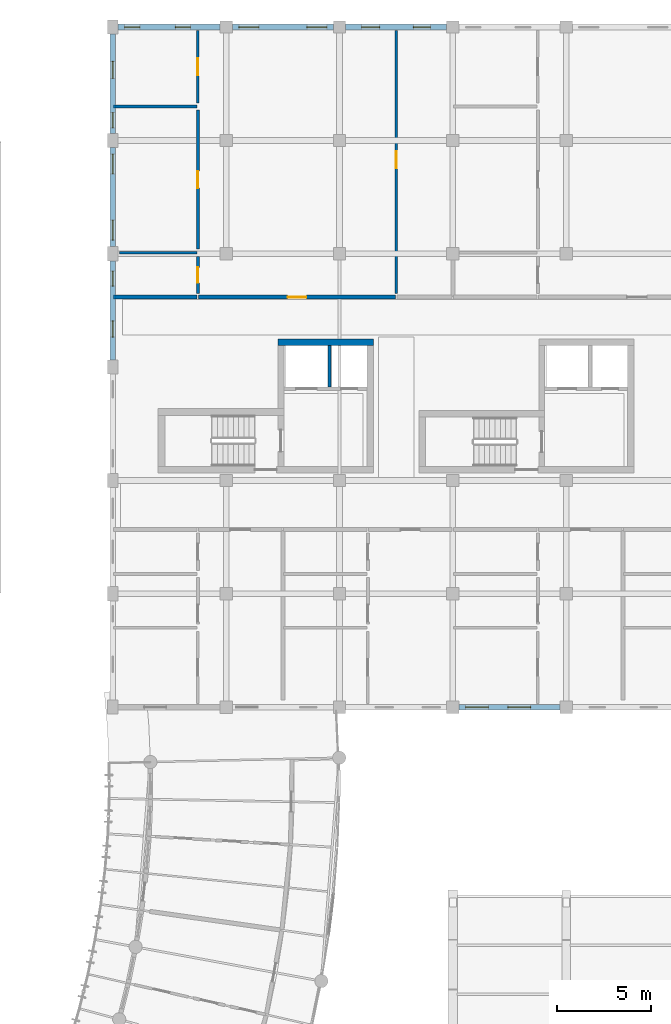
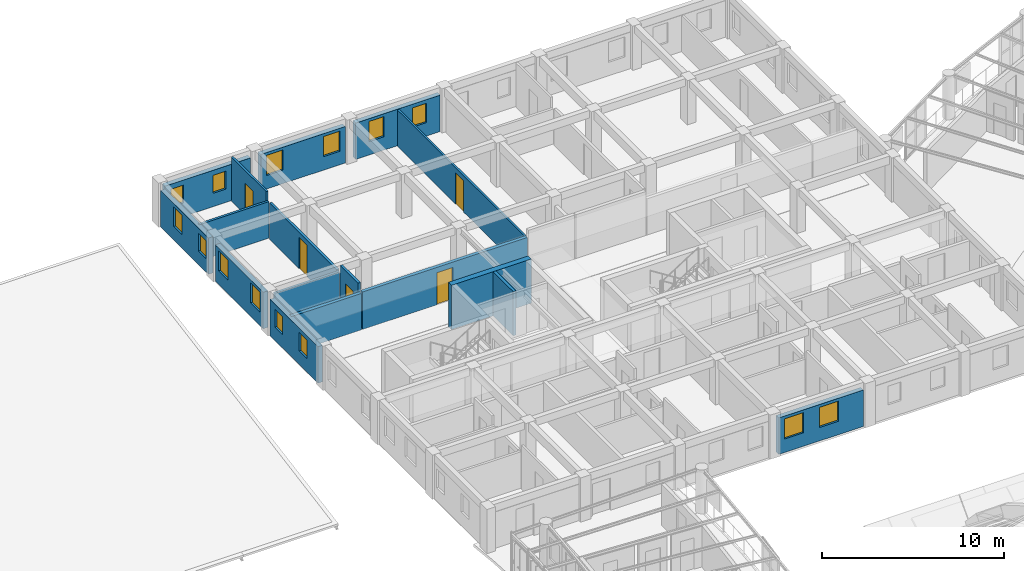
# One storey, part 89 of 123: 17 walls, 14 windows, 5 doors, 19 openings.
"""IFC4 building model written with IfcOpenShell, lengths in metres."""

from ifc_helpers import new_model, si_unit, direction, frame, frame_2d, origin, place, context, subcontext, project, spatial, rectangle, extrude, material, layer, layer_set, type_object, element, fill, save


model = new_model("IFC4")

# Units and contexts
model_context = context("Model", 3, precision=1e-05, world=origin(), true_north=direction((0.0, 1.0)))
body_context = subcontext(model_context, "Body", "Model", "MODEL_VIEW")
ifc_project = project(units=[si_unit("LENGTHUNIT", "METRE"), si_unit("AREAUNIT", "SQUARE_METRE"), si_unit("VOLUMEUNIT", "CUBIC_METRE"), si_unit("PLANEANGLEUNIT", "RADIAN"), si_unit("MASSUNIT", "GRAM", prefix="KILO"), si_unit("POWERUNIT", "WATT"), si_unit("THERMODYNAMICTEMPERATUREUNIT", "KELVIN")], contexts=[model_context])

# Site, building, storey
site_placement = place(None, origin())
site = spatial("IfcSite", under=ifc_project, at=site_placement, CompositionType="ELEMENT")
building_placement = place(site_placement, origin())
building = spatial("IfcBuilding", under=site, at=building_placement, Name="Ruvembo Vaulted Housing Court", CompositionType="ELEMENT")
storey_placement = place(building_placement, frame((0.0, 0.0, 7.699951171875)))
storey = spatial("IfcBuildingStorey", under=building, at=storey_placement, Name="L02", CompositionType="ELEMENT", Elevation=7.699951171875)

# Walls
ifc_material_1 = material(Name="Concrete C35/45", Category="concrete")
ifc_layer_1 = layer(ifc_material_1, 0.35009765625, Name="Concrete C35/45")
ifc_layer_set_1 = layer_set([ifc_layer_1], Name="Concrete C35/45")
wall_type_1 = type_object("IfcWallType", Name="WL-CORE-350", PredefinedType="SHEAR", material=ifc_layer_set_1)
wall_1_placement = place(storey_placement, frame((61.800048828125, 97.324951171875, 0.0), z_axis=(0.0, 0.0, 1.0), x_axis=(-1.0, 0.0, 0.0)))
element("IfcWall", 1, at=wall_1_placement, inside=storey, type_object=wall_type_1, Name="Core B1 L02 North Shear Wall", PredefinedType="SHEAR", context=body_context, shape_type="SweptSolid", body=[
    extrude(rectangle(XDim=5.050048828125, YDim=0.35009765625, at=frame_2d((2.52490234375, 0.0))), origin(), (0.0, 0.0, 1.0), 2.955078125),
])
ifc_material_2 = material(Name="Concrete Blockwork 210", Category="masonry")
ifc_layer_2 = layer(ifc_material_2, 0.2099609375, Name="Concrete Blockwork 210")
ifc_layer_set_2 = layer_set([ifc_layer_2], Name="Concrete Blockwork 210")
wall_type_2 = type_object("IfcWallType", Name="WL-CORR-210", PredefinedType="SOLIDWALL", material=ifc_layer_set_2)
wall_2_placement = place(storey_placement, frame((48.0400390625, 99.699951171875, 0.0), z_axis=(0.0, 0.0, 1.0), x_axis=(1.0, 0.0, 0.0)))
element("IfcWall", 2, at=wall_2_placement, inside=storey, type_object=wall_type_2, Name="L02 Flat B-L02-N1 Corridor Wall WL-INT-L02-00564", PredefinedType="SOLIDWALL", context=body_context, shape_type="SweptSolid", body=[
    extrude(rectangle(XDim=4.419921875, YDim=0.2099609375, at=frame_2d((2.2099609375, 0.0))), origin(), (0.0, 0.0, 1.0), 2.43701171875),
])

# Wall, opening, door
wall_3_placement = place(storey_placement, frame((52.5400390625, 99.699951171875, 0.0), z_axis=(0.0, 0.0, 1.0), x_axis=(1.0, 0.0, 0.0)))
wall_3 = element("IfcWall", 3, at=wall_3_placement, inside=storey, type_object=wall_type_2, Name="L02 Flat B-L02-N1 Entrance WL-INT-L02-00565", PredefinedType="SOLIDWALL", context=body_context, shape_type="SweptSolid", body=[
    extrude(rectangle(XDim=10.419921875, YDim=0.2099609375, at=frame_2d((5.2099609375, 0.0))), origin(), (0.0, 0.0, 1.0), 2.508056640625),
])
opening_1_placement = place(wall_3_placement, frame((4.7099609375, 0.0, 0.0)))
opening_1 = element("IfcOpeningElement", 4, at=opening_1_placement, cuts=wall_3, Name="Opening FD1", PredefinedType="OPENING", context=body_context, shape_type="SweptSolid", body=[
    extrude(rectangle(XDim=1.0, YDim=2.14990234375, at=frame_2d((0.5, 1.074951171875))), frame((0.0, 0.114990234375, 0.0), z_axis=(0.0, -1.0, 0.0), x_axis=(1.0, 0.0, 0.0)), (0.0, 0.0, 1.0), 0.22998046875),
])
ifc_material_3 = material(Name="FSC Hardwood and Engineered Timber", Category="wood")
door_type_1 = type_object("IfcDoorType", Name="DR-FLAT-1000x2150", OperationType="NOTDEFINED", PredefinedType="DOOR", material=ifc_material_3)
door_1_placement = place(opening_1_placement, origin())
door_1 = element("IfcDoor", 5, at=door_1_placement, inside=storey, type_object=door_type_1, Name="L02 Flat B-L02-N1 Entrance Door DR-INT-L02-00306", OperationType="SINGLE_SWING_RIGHT", OverallHeight=2.14990234375, OverallWidth=1.0, PredefinedType="DOOR", context=body_context, shape_type="SweptSolid", body=[
    extrude(rectangle(XDim=1.0, YDim=2.14990234375, at=frame_2d((0.5, 1.074951171875))), frame((0.0, 0.02490234375, 0.0), z_axis=(0.0, -1.0, 0.0), x_axis=(1.0, 0.0, 0.0)), (0.0, 0.0, 1.0), 0.050048828125),
])
fill(opening_1, door_1)

# Wall, openings, windows
ifc_material_4 = material(Name="Rendered Masonry 300", Category="masonry")
ifc_layer_3 = layer(ifc_material_4, 0.300048828125, Name="Rendered Masonry 300")
ifc_layer_set_3 = layer_set([ifc_layer_3], Name="Rendered Masonry 300")
wall_type_3 = type_object("IfcWallType", Name="WL-EXT-300", PredefinedType="STANDARD", material=ifc_layer_set_3)
wall_4_placement = place(storey_placement, frame((66.324951171875, 78.0, 0.0), z_axis=(0.0, 0.0, 1.0), x_axis=(1.0, 0.0, 0.0)))
wall_4 = element("IfcWall", 6, at=wall_4_placement, inside=storey, type_object=wall_type_3, Name="Block B L02 Exterior Wall COURTYARD #4", PredefinedType="STANDARD", context=body_context, shape_type="SweptSolid", body=[
    extrude(rectangle(XDim=5.35009765625, YDim=0.300048828125, at=frame_2d((2.675048828125, 0.0))), origin(), (0.0, 0.0, 1.0), 2.43701171875),
])
opening_2_placement = place(wall_4_placement, frame((0.35009765625, 0.0, 0.89990234375)))
opening_2 = element("IfcOpeningElement", 7, at=opening_2_placement, cuts=wall_4, Name="Opening W12", PredefinedType="OPENING", context=body_context, shape_type="SweptSolid", body=[
    extrude(rectangle(XDim=1.199951171875, YDim=1.35009765625, at=frame_2d((0.60009765625, 0.675048828125))), frame((0.0, 0.159912109375, 0.0), z_axis=(0.0, -1.0, 0.0), x_axis=(1.0, 0.0, 0.0)), (0.0, 0.0, 1.0), 0.320068359375),
])
opening_3_placement = place(wall_4_placement, frame((2.5849609375, 0.0, 0.89990234375)))
opening_3 = element("IfcOpeningElement", 8, at=opening_3_placement, cuts=wall_4, Name="Opening W12", PredefinedType="OPENING", context=body_context, shape_type="SweptSolid", body=[
    extrude(rectangle(XDim=1.199951171875, YDim=1.35009765625, at=frame_2d((0.60009765625, 0.675048828125))), frame((0.0, 0.159912109375, 0.0), z_axis=(0.0, -1.0, 0.0), x_axis=(1.0, 0.0, 0.0)), (0.0, 0.0, 1.0), 0.320068359375),
])
ifc_material_5 = material(Name="Double Solar-Control Glazing in Aluminium Frame", Category="aluminium")
window_type_1 = type_object("IfcWindowType", Name="WIN-1200x1350", PartitioningType="SINGLE_PANEL", PredefinedType="WINDOW", material=ifc_material_5)
window_1_placement = place(opening_2_placement, origin())
window_1 = element("IfcWindow", 9, at=window_1_placement, inside=storey, type_object=window_type_1, Name="Block B L02 Window #689", OverallHeight=1.35009765625, OverallWidth=1.199951171875, PartitioningType="SINGLE_PANEL", PredefinedType="WINDOW", context=body_context, shape_type="SweptSolid", body=[
    extrude(rectangle(XDim=1.199951171875, YDim=1.35009765625, at=frame_2d((0.60009765625, 0.675048828125))), frame((0.0, 0.030029296875, 0.0), z_axis=(0.0, -1.0, 0.0), x_axis=(1.0, 0.0, 0.0)), (0.0, 0.0, 1.0), 0.06005859375),
])
fill(opening_2, window_1)
window_2_placement = place(opening_3_placement, origin())
window_2 = element("IfcWindow", 10, at=window_2_placement, inside=storey, type_object=window_type_1, Name="Block B L02 Window #690", OverallHeight=1.35009765625, OverallWidth=1.199951171875, PartitioningType="SINGLE_PANEL", PredefinedType="WINDOW", context=body_context, shape_type="SweptSolid", body=[
    extrude(rectangle(XDim=1.199951171875, YDim=1.35009765625, at=frame_2d((0.60009765625, 0.675048828125))), frame((0.0, 0.030029296875, 0.0), z_axis=(0.0, -1.0, 0.0), x_axis=(1.0, 0.0, 0.0)), (0.0, 0.0, 1.0), 0.06005859375),
])
fill(opening_3, window_2)

wall_5_placement = place(storey_placement, frame((65.675048828125, 114.0, 0.0), z_axis=(0.0, 0.0, 1.0), x_axis=(-1.0, 0.0, 0.0)))
wall_5 = element("IfcWall", 11, at=wall_5_placement, inside=storey, type_object=wall_type_3, Name="Block B L02 Exterior Wall STREET #4", PredefinedType="STANDARD", context=body_context, shape_type="SweptSolid", body=[
    extrude(rectangle(XDim=5.35009765625, YDim=0.300048828125, at=frame_2d((2.675048828125, 0.0))), origin(), (0.0, 0.0, 1.0), 2.43701171875),
])
opening_4_placement = place(wall_5_placement, frame((0.867431640625, 0.0, 0.89990234375)))
opening_4 = element("IfcOpeningElement", 12, at=opening_4_placement, cuts=wall_5, Name="Opening W04", PredefinedType="OPENING", context=body_context, shape_type="SweptSolid", body=[
    extrude(rectangle(XDim=0.89990234375, YDim=1.300048828125, at=frame_2d((0.449951171875, 0.64990234375))), frame((0.0, 0.159912109375, 0.0), z_axis=(0.0, -1.0, 0.0), x_axis=(1.0, 0.0, 0.0)), (0.0, 0.0, 1.0), 0.320068359375),
])
opening_5_placement = place(wall_5_placement, frame((3.5576171875, 0.0, 0.89990234375)))
opening_5 = element("IfcOpeningElement", 13, at=opening_5_placement, cuts=wall_5, Name="Opening W07", PredefinedType="OPENING", context=body_context, shape_type="SweptSolid", body=[
    extrude(rectangle(XDim=0.949951171875, YDim=1.35009765625, at=frame_2d((0.47509765625, 0.675048828125))), frame((0.0, 0.159912109375, 0.0), z_axis=(0.0, -1.0, 0.0), x_axis=(1.0, 0.0, 0.0)), (0.0, 0.0, 1.0), 0.320068359375),
])
window_type_2 = type_object("IfcWindowType", Name="WIN-0900x1300", PartitioningType="SINGLE_PANEL", PredefinedType="WINDOW", material=ifc_material_5)
window_3_placement = place(opening_4_placement, origin())
window_3 = element("IfcWindow", 14, at=window_3_placement, inside=storey, type_object=window_type_2, Name="Block B L02 Window #710", OverallHeight=1.300048828125, OverallWidth=0.89990234375, PartitioningType="SINGLE_PANEL", PredefinedType="WINDOW", context=body_context, shape_type="SweptSolid", body=[
    extrude(rectangle(XDim=0.89990234375, YDim=1.300048828125, at=frame_2d((0.449951171875, 0.64990234375))), frame((0.0, 0.030029296875, 0.0), z_axis=(0.0, -1.0, 0.0), x_axis=(1.0, 0.0, 0.0)), (0.0, 0.0, 1.0), 0.06005859375),
])
fill(opening_4, window_3)
window_type_3 = type_object("IfcWindowType", Name="WIN-0950x1350", PartitioningType="SINGLE_PANEL", PredefinedType="WINDOW", material=ifc_material_5)
window_4_placement = place(opening_5_placement, origin())
window_4 = element("IfcWindow", 15, at=window_4_placement, inside=storey, type_object=window_type_3, Name="Block B L02 Window #711", OverallHeight=1.35009765625, OverallWidth=0.949951171875, PartitioningType="SINGLE_PANEL", PredefinedType="WINDOW", context=body_context, shape_type="SweptSolid", body=[
    extrude(rectangle(XDim=0.949951171875, YDim=1.35009765625, at=frame_2d((0.47509765625, 0.675048828125))), frame((0.0, 0.030029296875, 0.0), z_axis=(0.0, -1.0, 0.0), x_axis=(1.0, 0.0, 0.0)), (0.0, 0.0, 1.0), 0.06005859375),
])
fill(opening_5, window_4)

wall_6_placement = place(storey_placement, frame((59.675048828125, 114.0, 0.0), z_axis=(0.0, 0.0, 1.0), x_axis=(-1.0, 0.0, 0.0)))
wall_6 = element("IfcWall", 16, at=wall_6_placement, inside=storey, type_object=wall_type_3, Name="Block B L02 Exterior Wall STREET #5", PredefinedType="STANDARD", context=body_context, shape_type="SweptSolid", body=[
    extrude(rectangle(XDim=5.35009765625, YDim=0.300048828125, at=frame_2d((2.675048828125, 0.0))), origin(), (0.0, 0.0, 1.0), 2.43701171875),
])
opening_6_placement = place(wall_6_placement, frame((0.35009765625, 0.0, 0.89990234375)))
opening_6 = element("IfcOpeningElement", 17, at=opening_6_placement, cuts=wall_6, Name="Opening W09", PredefinedType="OPENING", context=body_context, shape_type="SweptSolid", body=[
    extrude(rectangle(XDim=1.050048828125, YDim=1.35009765625, at=frame_2d((0.52490234375, 0.675048828125))), frame((0.0, 0.159912109375, 0.0), z_axis=(0.0, -1.0, 0.0), x_axis=(1.0, 0.0, 0.0)), (0.0, 0.0, 1.0), 0.320068359375),
])
opening_7_placement = place(wall_6_placement, frame((3.949951171875, 0.0, 0.89990234375)))
opening_7 = element("IfcOpeningElement", 18, at=opening_7_placement, cuts=wall_6, Name="Opening W09", PredefinedType="OPENING", context=body_context, shape_type="SweptSolid", body=[
    extrude(rectangle(XDim=1.050048828125, YDim=1.35009765625, at=frame_2d((0.52490234375, 0.675048828125))), frame((0.0, 0.159912109375, 0.0), z_axis=(0.0, -1.0, 0.0), x_axis=(1.0, 0.0, 0.0)), (0.0, 0.0, 1.0), 0.320068359375),
])
window_type_4 = type_object("IfcWindowType", Name="WIN-1050x1350", PartitioningType="SINGLE_PANEL", PredefinedType="WINDOW", material=ifc_material_5)
window_5_placement = place(opening_6_placement, origin())
window_5 = element("IfcWindow", 19, at=window_5_placement, inside=storey, type_object=window_type_4, Name="Block B L02 Window #712", OverallHeight=1.35009765625, OverallWidth=1.050048828125, PartitioningType="SINGLE_PANEL", PredefinedType="WINDOW", context=body_context, shape_type="SweptSolid", body=[
    extrude(rectangle(XDim=1.050048828125, YDim=1.35009765625, at=frame_2d((0.52490234375, 0.675048828125))), frame((0.0, 0.030029296875, 0.0), z_axis=(0.0, -1.0, 0.0), x_axis=(1.0, 0.0, 0.0)), (0.0, 0.0, 1.0), 0.06005859375),
])
fill(opening_6, window_5)
window_6_placement = place(opening_7_placement, origin())
window_6 = element("IfcWindow", 20, at=window_6_placement, inside=storey, type_object=window_type_4, Name="Block B L02 Window #713", OverallHeight=1.35009765625, OverallWidth=1.050048828125, PartitioningType="SINGLE_PANEL", PredefinedType="WINDOW", context=body_context, shape_type="SweptSolid", body=[
    extrude(rectangle(XDim=1.050048828125, YDim=1.35009765625, at=frame_2d((0.52490234375, 0.675048828125))), frame((0.0, 0.030029296875, 0.0), z_axis=(0.0, -1.0, 0.0), x_axis=(1.0, 0.0, 0.0)), (0.0, 0.0, 1.0), 0.06005859375),
])
fill(opening_7, window_6)

wall_7_placement = place(storey_placement, frame((53.675048828125, 114.0, 0.0), z_axis=(0.0, 0.0, 1.0), x_axis=(-1.0, 0.0, 0.0)))
wall_7 = element("IfcWall", 21, at=wall_7_placement, inside=storey, type_object=wall_type_3, Name="Block B L02 Exterior Wall STREET #6", PredefinedType="STANDARD", context=body_context, shape_type="SweptSolid", body=[
    extrude(rectangle(XDim=5.400146484375, YDim=0.300048828125, at=frame_2d((2.7001953125, 0.0))), origin(), (0.0, 0.0, 1.0), 2.43701171875),
])
opening_8_placement = place(wall_7_placement, frame((1.56494140625, 0.0, 0.89990234375)))
opening_8 = element("IfcOpeningElement", 22, at=opening_8_placement, cuts=wall_7, Name="Opening W02", PredefinedType="OPENING", context=body_context, shape_type="SweptSolid", body=[
    extrude(rectangle(XDim=0.800048828125, YDim=1.199951171875, at=frame_2d((0.39990234375, 0.60009765625))), frame((0.0, 0.159912109375, 0.0), z_axis=(0.0, -1.0, 0.0), x_axis=(1.0, 0.0, 0.0)), (0.0, 0.0, 1.0), 0.320068359375),
])
opening_9_placement = place(wall_7_placement, frame((4.25, 0.0, 0.89990234375)))
opening_9 = element("IfcOpeningElement", 23, at=opening_9_placement, cuts=wall_7, Name="Opening W02", PredefinedType="OPENING", context=body_context, shape_type="SweptSolid", body=[
    extrude(rectangle(XDim=0.800048828125, YDim=1.199951171875, at=frame_2d((0.39990234375, 0.60009765625))), frame((0.0, 0.159912109375, 0.0), z_axis=(0.0, -1.0, 0.0), x_axis=(1.0, 0.0, 0.0)), (0.0, 0.0, 1.0), 0.320068359375),
])
window_type_5 = type_object("IfcWindowType", Name="WIN-0800x1200", PartitioningType="SINGLE_PANEL", PredefinedType="WINDOW", material=ifc_material_5)
window_7_placement = place(opening_8_placement, origin())
window_7 = element("IfcWindow", 24, at=window_7_placement, inside=storey, type_object=window_type_5, Name="Block B L02 Window #714", OverallHeight=1.199951171875, OverallWidth=0.800048828125, PartitioningType="SINGLE_PANEL", PredefinedType="WINDOW", context=body_context, shape_type="SweptSolid", body=[
    extrude(rectangle(XDim=0.800048828125, YDim=1.199951171875, at=frame_2d((0.39990234375, 0.60009765625))), frame((0.0, 0.030029296875, 0.0), z_axis=(0.0, -1.0, 0.0), x_axis=(1.0, 0.0, 0.0)), (0.0, 0.0, 1.0), 0.06005859375),
])
fill(opening_8, window_7)
window_8_placement = place(opening_9_placement, origin())
window_8 = element("IfcWindow", 25, at=window_8_placement, inside=storey, type_object=window_type_5, Name="Block B L02 Window #715", OverallHeight=1.199951171875, OverallWidth=0.800048828125, PartitioningType="SINGLE_PANEL", PredefinedType="WINDOW", context=body_context, shape_type="SweptSolid", body=[
    extrude(rectangle(XDim=0.800048828125, YDim=1.199951171875, at=frame_2d((0.39990234375, 0.60009765625))), frame((0.0, 0.030029296875, 0.0), z_axis=(0.0, -1.0, 0.0), x_axis=(1.0, 0.0, 0.0)), (0.0, 0.0, 1.0), 0.06005859375),
])
fill(opening_9, window_8)

wall_8_placement = place(storey_placement, frame((48.0, 113.625, 0.0), z_axis=(0.0, 0.0, 1.0), x_axis=(0.0, -1.0, 0.0)))
wall_8 = element("IfcWall", 26, at=wall_8_placement, inside=storey, type_object=wall_type_3, Name="Block B L02 Exterior Wall WEST #1", PredefinedType="STANDARD", context=body_context, shape_type="SweptSolid", body=[
    extrude(rectangle(XDim=5.25, YDim=0.300048828125, at=frame_2d((2.625, 0.0))), origin(), (0.0, 0.0, 1.0), 2.43701171875),
])
opening_10_placement = place(wall_8_placement, frame((1.4423828125, 0.0, 0.89990234375)))
opening_10 = element("IfcOpeningElement", 27, at=opening_10_placement, cuts=wall_8, Name="Opening W04", PredefinedType="OPENING", context=body_context, shape_type="SweptSolid", body=[
    extrude(rectangle(XDim=0.89990234375, YDim=1.300048828125, at=frame_2d((0.449951171875, 0.64990234375))), frame((0.0, 0.159912109375, 0.0), z_axis=(0.0, -1.0, 0.0), x_axis=(1.0, 0.0, 0.0)), (0.0, 0.0, 1.0), 0.320068359375),
])
opening_11_placement = place(wall_8_placement, frame((4.157470703125, 0.0, 0.89990234375)))
opening_11 = element("IfcOpeningElement", 28, at=opening_11_placement, cuts=wall_8, Name="Opening W02", PredefinedType="OPENING", context=body_context, shape_type="SweptSolid", body=[
    extrude(rectangle(XDim=0.800048828125, YDim=1.199951171875, at=frame_2d((0.39990234375, 0.60009765625))), frame((0.0, 0.159912109375, 0.0), z_axis=(0.0, -1.0, 0.0), x_axis=(1.0, 0.0, 0.0)), (0.0, 0.0, 1.0), 0.320068359375),
])
window_9_placement = place(opening_11_placement, origin())
window_9 = element("IfcWindow", 29, at=window_9_placement, inside=storey, type_object=window_type_5, Name="Block B L02 Window #717", OverallHeight=1.199951171875, OverallWidth=0.800048828125, PartitioningType="SINGLE_PANEL", PredefinedType="WINDOW", context=body_context, shape_type="SweptSolid", body=[
    extrude(rectangle(XDim=0.800048828125, YDim=1.199951171875, at=frame_2d((0.39990234375, 0.60009765625))), frame((0.0, 0.030029296875, 0.0), z_axis=(0.0, -1.0, 0.0), x_axis=(1.0, 0.0, 0.0)), (0.0, 0.0, 1.0), 0.06005859375),
])
fill(opening_11, window_9)
window_10_placement = place(opening_10_placement, origin())
window_10 = element("IfcWindow", 30, at=window_10_placement, inside=storey, type_object=window_type_2, Name="Block B L02 Window #716", OverallHeight=1.300048828125, OverallWidth=0.89990234375, PartitioningType="SINGLE_PANEL", PredefinedType="WINDOW", context=body_context, shape_type="SweptSolid", body=[
    extrude(rectangle(XDim=0.89990234375, YDim=1.300048828125, at=frame_2d((0.449951171875, 0.64990234375))), frame((0.0, 0.030029296875, 0.0), z_axis=(0.0, -1.0, 0.0), x_axis=(1.0, 0.0, 0.0)), (0.0, 0.0, 1.0), 0.06005859375),
])
fill(opening_10, window_10)

wall_9_placement = place(storey_placement, frame((48.0, 107.625, 0.0), z_axis=(0.0, 0.0, 1.0), x_axis=(0.0, -1.0, 0.0)))
wall_9 = element("IfcWall", 31, at=wall_9_placement, inside=storey, type_object=wall_type_3, Name="Block B L02 Exterior Wall WEST #2", PredefinedType="STANDARD", context=body_context, shape_type="SweptSolid", body=[
    extrude(rectangle(XDim=5.25, YDim=0.300048828125, at=frame_2d((2.625, 0.0))), origin(), (0.0, 0.0, 1.0), 2.43701171875),
])
opening_12_placement = place(wall_9_placement, frame((0.35009765625, 0.0, 0.89990234375)))
opening_12 = element("IfcOpeningElement", 32, at=opening_12_placement, cuts=wall_9, Name="Opening W09", PredefinedType="OPENING", context=body_context, shape_type="SweptSolid", body=[
    extrude(rectangle(XDim=1.050048828125, YDim=1.35009765625, at=frame_2d((0.52490234375, 0.675048828125))), frame((0.0, 0.159912109375, 0.0), z_axis=(0.0, -1.0, 0.0), x_axis=(1.0, 0.0, 0.0)), (0.0, 0.0, 1.0), 0.320068359375),
])
opening_13_placement = place(wall_9_placement, frame((3.85009765625, 0.0, 0.89990234375)))
opening_13 = element("IfcOpeningElement", 33, at=opening_13_placement, cuts=wall_9, Name="Opening W09", PredefinedType="OPENING", context=body_context, shape_type="SweptSolid", body=[
    extrude(rectangle(XDim=1.050048828125, YDim=1.35009765625, at=frame_2d((0.52490234375, 0.675048828125))), frame((0.0, 0.159912109375, 0.0), z_axis=(0.0, -1.0, 0.0), x_axis=(1.0, 0.0, 0.0)), (0.0, 0.0, 1.0), 0.320068359375),
])
window_11_placement = place(opening_12_placement, origin())
window_11 = element("IfcWindow", 34, at=window_11_placement, inside=storey, type_object=window_type_4, Name="Block B L02 Window #718", OverallHeight=1.35009765625, OverallWidth=1.050048828125, PartitioningType="SINGLE_PANEL", PredefinedType="WINDOW", context=body_context, shape_type="SweptSolid", body=[
    extrude(rectangle(XDim=1.050048828125, YDim=1.35009765625, at=frame_2d((0.52490234375, 0.675048828125))), frame((0.0, 0.030029296875, 0.0), z_axis=(0.0, -1.0, 0.0), x_axis=(1.0, 0.0, 0.0)), (0.0, 0.0, 1.0), 0.06005859375),
])
fill(opening_12, window_11)
window_12_placement = place(opening_13_placement, origin())
window_12 = element("IfcWindow", 35, at=window_12_placement, inside=storey, type_object=window_type_4, Name="Block B L02 Window #719", OverallHeight=1.35009765625, OverallWidth=1.050048828125, PartitioningType="SINGLE_PANEL", PredefinedType="WINDOW", context=body_context, shape_type="SweptSolid", body=[
    extrude(rectangle(XDim=1.050048828125, YDim=1.35009765625, at=frame_2d((0.52490234375, 0.675048828125))), frame((0.0, 0.030029296875, 0.0), z_axis=(0.0, -1.0, 0.0), x_axis=(1.0, 0.0, 0.0)), (0.0, 0.0, 1.0), 0.06005859375),
])
fill(opening_13, window_12)

wall_10_placement = place(storey_placement, frame((48.0, 101.625, 0.0), z_axis=(0.0, 0.0, 1.0), x_axis=(0.0, -1.0, 0.0)))
wall_10 = element("IfcWall", 36, at=wall_10_placement, inside=storey, type_object=wall_type_3, Name="Block B L02 Exterior Wall WEST #3", PredefinedType="STANDARD", context=body_context, shape_type="SweptSolid", body=[
    extrude(rectangle(XDim=5.25, YDim=0.300048828125, at=frame_2d((2.625, 0.0))), origin(), (0.0, 0.0, 1.0), 2.43701171875),
])
opening_14_placement = place(wall_10_placement, frame((0.54248046875, 0.0, 0.89990234375)))
opening_14 = element("IfcOpeningElement", 37, at=opening_14_placement, cuts=wall_10, Name="Opening W02", PredefinedType="OPENING", context=body_context, shape_type="SweptSolid", body=[
    extrude(rectangle(XDim=0.800048828125, YDim=1.199951171875, at=frame_2d((0.39990234375, 0.60009765625))), frame((0.0, 0.159912109375, 0.0), z_axis=(0.0, -1.0, 0.0), x_axis=(1.0, 0.0, 0.0)), (0.0, 0.0, 1.0), 0.320068359375),
])
opening_15_placement = place(wall_10_placement, frame((3.1826171875, 0.0, 0.89990234375)))
opening_15 = element("IfcOpeningElement", 38, at=opening_15_placement, cuts=wall_10, Name="Opening W03", PredefinedType="OPENING", context=body_context, shape_type="SweptSolid", body=[
    extrude(rectangle(XDim=0.85009765625, YDim=1.25, at=frame_2d((0.425048828125, 0.625))), frame((0.0, 0.159912109375, 0.0), z_axis=(0.0, -1.0, 0.0), x_axis=(1.0, 0.0, 0.0)), (0.0, 0.0, 1.0), 0.320068359375),
])
window_13_placement = place(opening_14_placement, origin())
window_13 = element("IfcWindow", 39, at=window_13_placement, inside=storey, type_object=window_type_5, Name="Block B L02 Window #720", OverallHeight=1.199951171875, OverallWidth=0.800048828125, PartitioningType="SINGLE_PANEL", PredefinedType="WINDOW", context=body_context, shape_type="SweptSolid", body=[
    extrude(rectangle(XDim=0.800048828125, YDim=1.199951171875, at=frame_2d((0.39990234375, 0.60009765625))), frame((0.0, 0.030029296875, 0.0), z_axis=(0.0, -1.0, 0.0), x_axis=(1.0, 0.0, 0.0)), (0.0, 0.0, 1.0), 0.06005859375),
])
fill(opening_14, window_13)
window_type_6 = type_object("IfcWindowType", Name="WIN-0850x1250", PartitioningType="SINGLE_PANEL", PredefinedType="WINDOW", material=ifc_material_5)
window_14_placement = place(opening_15_placement, origin())
window_14 = element("IfcWindow", 40, at=window_14_placement, inside=storey, type_object=window_type_6, Name="Block B L02 Window #721", OverallHeight=1.25, OverallWidth=0.85009765625, PartitioningType="SINGLE_PANEL", PredefinedType="WINDOW", context=body_context, shape_type="SweptSolid", body=[
    extrude(rectangle(XDim=0.85009765625, YDim=1.25, at=frame_2d((0.425048828125, 0.625))), frame((0.0, 0.030029296875, 0.0), z_axis=(0.0, -1.0, 0.0), x_axis=(1.0, 0.0, 0.0)), (0.0, 0.0, 1.0), 0.06005859375),
])
fill(opening_15, window_14)

# Wall, opening, door
ifc_material_6 = material(Name="Plasterboard Stud Partition 125", Category="gypsum")
ifc_layer_4 = layer(ifc_material_6, 0.125, Name="Plasterboard Stud Partition 125")
ifc_layer_set_4 = layer_set([ifc_layer_4], Name="Plasterboard Stud Partition 125")
wall_type_4 = type_object("IfcWallType", Name="WL-PART-125", PredefinedType="PARTITIONING", material=ifc_layer_set_4)
wall_11_placement = place(storey_placement, frame((52.5, 109.989990234375, 0.0), z_axis=(0.0, 0.0, 1.0), x_axis=(0.0, 1.0, 0.0)))
wall_11 = element("IfcWall", 41, at=wall_11_placement, inside=storey, type_object=wall_type_4, Name="L02 Flat B-L02-N1 Bedroom 1 WL-INT-L02-00566", PredefinedType="PARTITIONING", context=body_context, shape_type="SweptSolid", body=[
    extrude(rectangle(XDim=3.820068359375, YDim=0.125, at=frame_2d((1.91015625, 0.0))), origin(), (0.0, 0.0, 1.0), 2.955078125),
])
opening_16_placement = place(wall_11_placement, frame((1.469970703125, 0.0, 0.0)))
opening_16 = element("IfcOpeningElement", 42, at=opening_16_placement, cuts=wall_11, Name="Opening ID3", PredefinedType="OPENING", context=body_context, shape_type="SweptSolid", body=[
    extrude(rectangle(XDim=0.8798828125, YDim=2.10009765625, at=frame_2d((0.43994140625, 1.050048828125))), frame((0.0, 0.072509765625, 0.0), z_axis=(0.0, -1.0, 0.0), x_axis=(1.0, 0.0, 0.0)), (0.0, 0.0, 1.0), 0.14501953125),
])
door_type_2 = type_object("IfcDoorType", Name="DR-ROOM-0880x2100", OperationType="NOTDEFINED", PredefinedType="DOOR", material=ifc_material_3)
door_2_placement = place(opening_16_placement, origin())
door_2 = element("IfcDoor", 43, at=door_2_placement, inside=storey, type_object=door_type_2, Name="L02 Flat B-L02-N1 Bedroom 1 Door DR-INT-L02-00307", OperationType="SINGLE_SWING_LEFT", OverallHeight=2.10009765625, OverallWidth=0.8798828125, PredefinedType="DOOR", context=body_context, shape_type="SweptSolid", body=[
    extrude(rectangle(XDim=0.8798828125, YDim=2.10009765625, at=frame_2d((0.43994140625, 1.050048828125))), frame((0.0, 0.02490234375, 0.0), z_axis=(0.0, -1.0, 0.0), x_axis=(1.0, 0.0, 0.0)), (0.0, 0.0, 1.0), 0.050048828125),
])
fill(opening_16, door_2)

wall_12_placement = place(storey_placement, frame((63.0, 99.889892578125, 0.0), z_axis=(0.0, 0.0, 1.0), x_axis=(0.0, 1.0, 0.0)))
wall_12 = element("IfcWall", 44, at=wall_12_placement, inside=storey, type_object=wall_type_4, Name="L02 Flat B-L02-N1 Bedroom 2 WL-INT-L02-00572", PredefinedType="PARTITIONING", context=body_context, shape_type="SweptSolid", body=[
    extrude(rectangle(XDim=13.920166015625, YDim=0.125, at=frame_2d((6.9599609375, 0.0))), origin(), (0.0, 0.0, 1.0), 2.43701171875),
])
opening_17_placement = place(wall_12_placement, frame((6.64990234375, 0.0, 0.0)))
opening_17 = element("IfcOpeningElement", 45, at=opening_17_placement, cuts=wall_12, Name="Opening ID1", PredefinedType="OPENING", context=body_context, shape_type="SweptSolid", body=[
    extrude(rectangle(XDim=0.89990234375, YDim=2.10009765625, at=frame_2d((0.449951171875, 1.050048828125))), frame((0.0, 0.072509765625, 0.0), z_axis=(0.0, -1.0, 0.0), x_axis=(1.0, 0.0, 0.0)), (0.0, 0.0, 1.0), 0.14501953125),
])
door_type_3 = type_object("IfcDoorType", Name="DR-ROOM-0900x2100", OperationType="NOTDEFINED", PredefinedType="DOOR", material=ifc_material_3)
door_3_placement = place(opening_17_placement, origin())
door_3 = element("IfcDoor", 46, at=door_3_placement, inside=storey, type_object=door_type_3, Name="L02 Flat B-L02-N1 Bedroom 2 Door DR-INT-L02-00310", OperationType="SINGLE_SWING_RIGHT", OverallHeight=2.10009765625, OverallWidth=0.89990234375, PredefinedType="DOOR", context=body_context, shape_type="SweptSolid", body=[
    extrude(rectangle(XDim=0.89990234375, YDim=2.10009765625, at=frame_2d((0.449951171875, 1.050048828125))), frame((0.0, 0.02490234375, 0.0), z_axis=(0.0, -1.0, 0.0), x_axis=(1.0, 0.0, 0.0)), (0.0, 0.0, 1.0), 0.050048828125),
])
fill(opening_17, door_3)

ifc_material_7 = material(Name="Moisture-Resistant Wet Partition 150", Category="gypsum")
ifc_layer_5 = layer(ifc_material_7, 0.14990234375, Name="Moisture-Resistant Wet Partition 150")
ifc_layer_set_5 = layer_set([ifc_layer_5], Name="Moisture-Resistant Wet Partition 150")
wall_type_5 = type_object("IfcWallType", Name="WL-PART-150", PredefinedType="PARTITIONING", material=ifc_layer_set_5)
wall_13_placement = place(storey_placement, frame((52.5, 99.889892578125, 0.0), z_axis=(0.0, 0.0, 1.0), x_axis=(0.0, 1.0, 0.0)))
wall_13 = element("IfcWall", 47, at=wall_13_placement, inside=storey, type_object=wall_type_5, Name="L02 Flat B-L02-N1 Bathroom WL-INT-L02-00568", PredefinedType="PARTITIONING", context=body_context, shape_type="SweptSolid", body=[
    extrude(rectangle(XDim=1.97021484375, YDim=0.14990234375, at=frame_2d((0.985107421875, 0.0))), origin(), (0.0, 0.0, 1.0), 2.955078125),
])
opening_18_placement = place(wall_13_placement, frame((0.574951171875, 0.0, 0.0)))
opening_18 = element("IfcOpeningElement", 48, at=opening_18_placement, cuts=wall_13, Name="Opening ID4", PredefinedType="OPENING", context=body_context, shape_type="SweptSolid", body=[
    extrude(rectangle(XDim=0.820068359375, YDim=2.080078125, at=frame_2d((0.41015625, 1.0400390625))), frame((0.0, 0.0849609375, 0.0), z_axis=(0.0, -1.0, 0.0), x_axis=(1.0, 0.0, 0.0)), (0.0, 0.0, 1.0), 0.169921875),
])
door_type_4 = type_object("IfcDoorType", Name="DR-WET-0820x2080", OperationType="NOTDEFINED", PredefinedType="DOOR", material=ifc_material_3)
door_4_placement = place(opening_18_placement, origin())
door_4 = element("IfcDoor", 49, at=door_4_placement, inside=storey, type_object=door_type_4, Name="L02 Flat B-L02-N1 Bathroom Door DR-INT-L02-00309", OperationType="SINGLE_SWING_LEFT", OverallHeight=2.080078125, OverallWidth=0.820068359375, PredefinedType="DOOR", context=body_context, shape_type="SweptSolid", body=[
    extrude(rectangle(XDim=0.820068359375, YDim=2.080078125, at=frame_2d((0.41015625, 1.0400390625))), frame((0.0, 0.02490234375, 0.0), z_axis=(0.0, -1.0, 0.0), x_axis=(1.0, 0.0, 0.0)), (0.0, 0.0, 1.0), 0.050048828125),
])
fill(opening_18, door_4)

# Walls
wall_14_placement = place(storey_placement, frame((48.0400390625, 109.800048828125, 0.0), z_axis=(0.0, 0.0, 1.0), x_axis=(1.0, 0.0, 0.0)))
element("IfcWall", 50, at=wall_14_placement, inside=storey, type_object=wall_type_5, Name="L02 Flat B-L02-N1 Wet Wall 1 WL-INT-L02-00569", PredefinedType="PARTITIONING", context=body_context, shape_type="SweptSolid", body=[
    extrude(rectangle(XDim=4.419921875, YDim=0.14990234375, at=frame_2d((2.2099609375, 0.0))), origin(), (0.0, 0.0, 1.0), 2.43701171875),
])
wall_15_placement = place(storey_placement, frame((48.360107421875, 102.050048828125, 0.0), z_axis=(0.0, 0.0, 1.0), x_axis=(1.0, 0.0, 0.0)))
element("IfcWall", 51, at=wall_15_placement, inside=storey, type_object=wall_type_5, Name="L02 Flat B-L02-N1 Wet Wall 2 WL-INT-L02-00570", PredefinedType="PARTITIONING", context=body_context, shape_type="SweptSolid", body=[
    extrude(rectangle(XDim=4.099853515625, YDim=0.14990234375, at=frame_2d((2.0498046875, 0.0))), origin(), (0.0, 0.0, 1.0), 2.43701171875),
])

# Wall, opening, door
ifc_material_8 = material(Name="Acoustic Service Chase Wall 160", Category="gypsum")
ifc_layer_6 = layer(ifc_material_8, 0.159912109375, Name="Acoustic Service Chase Wall 160")
ifc_layer_set_6 = layer_set([ifc_layer_6], Name="Acoustic Service Chase Wall 160")
wall_type_6 = type_object("IfcWallType", Name="WL-PLUMB-160", PredefinedType="PLUMBINGWALL", material=ifc_layer_set_6)
wall_16_placement = place(storey_placement, frame((52.5, 102.239990234375, 0.0), z_axis=(0.0, 0.0, 1.0), x_axis=(0.0, 1.0, 0.0)))
wall_16 = element("IfcWall", 52, at=wall_16_placement, inside=storey, type_object=wall_type_6, Name="L02 Flat B-L02-N1 Kitchen WL-INT-L02-00567", PredefinedType="PLUMBINGWALL", context=body_context, shape_type="SweptSolid", body=[
    extrude(rectangle(XDim=7.3701171875, YDim=0.159912109375, at=frame_2d((3.68505859375, 0.0))), origin(), (0.0, 0.0, 1.0), 2.43701171875),
])
opening_19_placement = place(wall_16_placement, frame((3.235107421875, 0.0, 0.0)))
opening_19 = element("IfcOpeningElement", 53, at=opening_19_placement, cuts=wall_16, Name="Opening ID1", PredefinedType="OPENING", context=body_context, shape_type="SweptSolid", body=[
    extrude(rectangle(XDim=0.89990234375, YDim=2.10009765625, at=frame_2d((0.449951171875, 1.050048828125))), frame((0.0, 0.08984375, 0.0), z_axis=(0.0, -1.0, 0.0), x_axis=(1.0, 0.0, 0.0)), (0.0, 0.0, 1.0), 0.179931640625),
])
door_5_placement = place(opening_19_placement, origin())
door_5 = element("IfcDoor", 54, at=door_5_placement, inside=storey, type_object=door_type_3, Name="L02 Flat B-L02-N1 Kitchen Door DR-INT-L02-00308", OperationType="SINGLE_SWING_RIGHT", OverallHeight=2.10009765625, OverallWidth=0.89990234375, PredefinedType="DOOR", context=body_context, shape_type="SweptSolid", body=[
    extrude(rectangle(XDim=0.89990234375, YDim=2.10009765625, at=frame_2d((0.449951171875, 1.050048828125))), frame((0.0, 0.02490234375, 0.0), z_axis=(0.0, -1.0, 0.0), x_axis=(1.0, 0.0, 0.0)), (0.0, 0.0, 1.0), 0.050048828125),
])
fill(opening_19, door_5)

# Wall
ifc_material_9 = material(Name="Fire-Rated Masonry Shaft 180", Category="masonry")
ifc_layer_7 = layer(ifc_material_9, 0.179931640625, Name="Fire-Rated Masonry Shaft 180")
ifc_layer_set_7 = layer_set([ifc_layer_7], Name="Fire-Rated Masonry Shaft 180")
wall_type_7 = type_object("IfcWallType", Name="WL-SHAFT-180", PredefinedType="SOLIDWALL", material=ifc_layer_set_7)
wall_17_placement = place(storey_placement, frame((59.469970703125, 94.93994140625, 0.0), z_axis=(0.0, 0.0, 1.0), x_axis=(0.0, 1.0, 0.0)))
element("IfcWall", 55, at=wall_17_placement, inside=storey, type_object=wall_type_7, Name="Core B1 L02 Shaft-Riser Divider Wall", PredefinedType="SOLIDWALL", context=body_context, shape_type="SweptSolid", body=[
    extrude(rectangle(XDim=2.2099609375, YDim=0.179931640625, at=frame_2d((1.10498046875, 0.0))), origin(), (0.0, 0.0, 1.0), 2.955078125),
])

save(model, "model.ifc")
